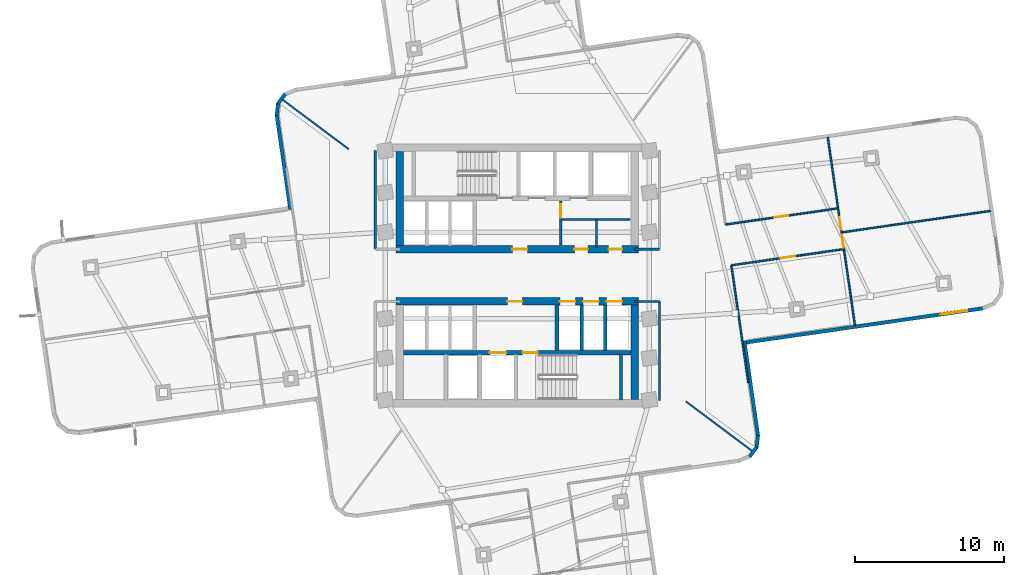
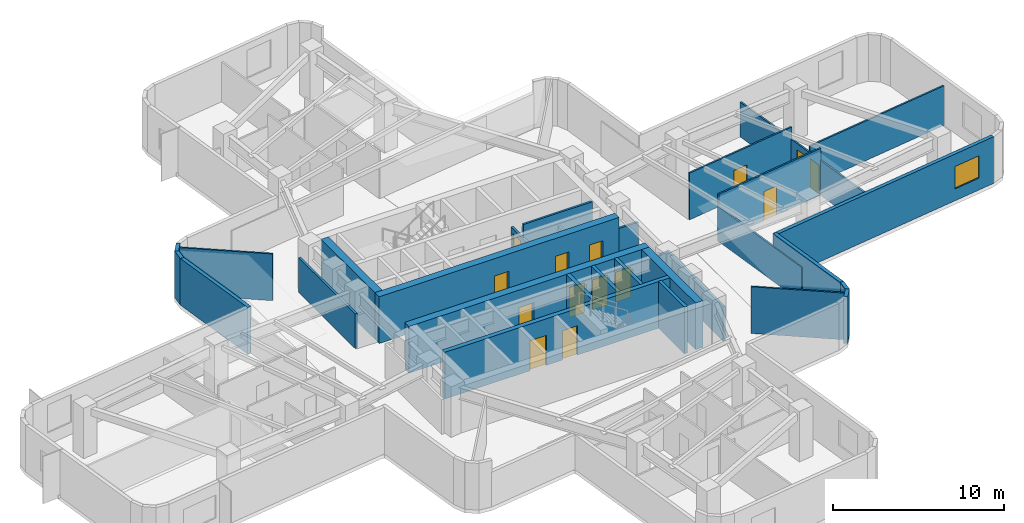
# One storey, part 4 of 10: 30 walls, 14 doors, 1 window, 15 openings.
"""IFC4 building model written with IfcOpenShell, lengths in metres."""

from ifc_helpers import new_model, si_unit, direction, frame, frame_2d, origin, place, context, subcontext, project, spatial, rectangle, extrude, material, layer, layer_set, type_object, element, fill, save


model = new_model("IFC4")

# Units and contexts
model_context = context("Model", 3, precision=1e-05, world=origin(), true_north=direction((0.0, 1.0)))
body_context = subcontext(model_context, "Body", "Model", "MODEL_VIEW")
ifc_project = project(units=[si_unit("LENGTHUNIT", "METRE"), si_unit("AREAUNIT", "SQUARE_METRE"), si_unit("VOLUMEUNIT", "CUBIC_METRE"), si_unit("PLANEANGLEUNIT", "RADIAN"), si_unit("MASSUNIT", "GRAM", prefix="KILO")], contexts=[model_context])

# Site, building, storey
site_placement = place(None, origin())
site = spatial("IfcSite", under=ifc_project, at=site_placement, CompositionType="ELEMENT")
building_placement = place(site_placement, origin())
building = spatial("IfcBuilding", under=site, at=building_placement, Name="Solmarez Civic Tower", CompositionType="ELEMENT")
storey_placement = place(building_placement, frame((0.0, 0.0, 85.679931640625)))
storey = spatial("IfcBuildingStorey", under=building, at=storey_placement, Name="L22", CompositionType="ELEMENT", Elevation=85.679931640625)

# Wall, openings, doors
ifc_material_1 = material(Name="Concrete C60/75", Category="concrete")
ifc_layer_1 = layer(ifc_material_1, 0.5)
ifc_layer_set_1 = layer_set([ifc_layer_1], Name="Concrete C60/75")
wall_type_1 = type_object("IfcWallType", Name="WALL-CORE-500", PredefinedType="SHEAR", material=ifc_layer_set_1)
wall_1_placement = place(storey_placement, frame((8.1201171875, 1.75, 0.0), z_axis=(0.0, 0.0, 1.0), x_axis=(-1.0, 0.0, 0.0)))
wall_1 = element("IfcWall", 1, at=wall_1_placement, inside=storey, type_object=wall_type_1, Name="L22 Split-Core Structural Wall NCW-S-L22", PredefinedType="SHEAR", context=body_context, shape_type="SweptSolid", body=[
    extrude(rectangle(XDim=16.240234375, YDim=0.5, at=frame_2d((8.1201171875, 0.0))), origin(), (0.0, 0.0, 1.0), 3.340087890625),
])
opening_1_placement = place(wall_1_placement, frame((7.449951171875, 0.0, 0.0)))
opening_1 = element("IfcOpeningElement", 2, at=opening_1_placement, cuts=wall_1, Name="Opening D-04", PredefinedType="OPENING", context=body_context, shape_type="SweptSolid", body=[
    extrude(rectangle(XDim=1.0, YDim=2.10009765625, at=frame_2d((0.5, 1.050048828125))), frame((0.0, 0.260009765625, 0.0), z_axis=(0.0, -1.0, 0.0), x_axis=(1.0, 0.0, 0.0)), (0.0, 0.0, 1.0), 0.52001953125),
])
opening_2_placement = place(wall_1_placement, frame((3.39990234375, 0.0, 0.0)))
opening_2 = element("IfcOpeningElement", 3, at=opening_2_placement, cuts=wall_1, Name="Opening D-09", PredefinedType="OPENING", context=body_context, shape_type="SweptSolid", body=[
    extrude(rectangle(XDim=0.89990234375, YDim=2.06005859375, at=frame_2d((0.449951171875, 1.030029296875))), frame((0.0, 0.260009765625, 0.0), z_axis=(0.0, -1.0, 0.0), x_axis=(1.0, 0.0, 0.0)), (0.0, 0.0, 1.0), 0.52001953125),
])
opening_3_placement = place(wall_1_placement, frame((1.10009765625, 0.0, 0.0)))
opening_3 = element("IfcOpeningElement", 4, at=opening_3_placement, cuts=wall_1, Name="Opening D-09", PredefinedType="OPENING", context=body_context, shape_type="SweptSolid", body=[
    extrude(rectangle(XDim=0.89990234375, YDim=2.06005859375, at=frame_2d((0.449951171875, 1.030029296875))), frame((0.0, 0.260009765625, 0.0), z_axis=(0.0, -1.0, 0.0), x_axis=(1.0, 0.0, 0.0)), (0.0, 0.0, 1.0), 0.52001953125),
])
ifc_material_2 = material(Name="Steel-Faced Acoustic Fire Door", Category="steel")
door_type_1 = type_object("IfcDoorType", Name="DOOR-FD60-1000", OperationType="NOTDEFINED", PredefinedType="DOOR", material=ifc_material_2)
door_1_placement = place(opening_1_placement, origin())
door_1 = element("IfcDoor", 5, at=door_1_placement, inside=storey, type_object=door_type_1, Name="L22 North Firefighting Lobby Door", OperationType="SINGLE_SWING_LEFT", OverallHeight=2.10009765625, OverallWidth=1.0, PredefinedType="DOOR", context=body_context, shape_type="SweptSolid", body=[
    extrude(rectangle(XDim=1.0, YDim=2.10009765625, at=frame_2d((0.5, 1.050048828125))), frame((0.0, 0.02490234375, 0.0), z_axis=(0.0, -1.0, 0.0), x_axis=(1.0, 0.0, 0.0)), (0.0, 0.0, 1.0), 0.050048828125),
])
fill(opening_1, door_1)
ifc_material_3 = material(Name="Fire-Rated Service Core Door", Category="wood")
door_type_2 = type_object("IfcDoorType", Name="DOOR-FD60-900", OperationType="NOTDEFINED", PredefinedType="DOOR", material=ifc_material_3)
door_2_placement = place(opening_2_placement, origin())
door_2 = element("IfcDoor", 6, at=door_2_placement, inside=storey, type_object=door_type_2, Name="L22 Core WC Door", OperationType="SINGLE_SWING_LEFT", OverallHeight=2.06005859375, OverallWidth=0.89990234375, PredefinedType="DOOR", context=body_context, shape_type="SweptSolid", body=[
    extrude(rectangle(XDim=0.89990234375, YDim=2.06005859375, at=frame_2d((0.449951171875, 1.030029296875))), frame((0.0, 0.02490234375, 0.0), z_axis=(0.0, -1.0, 0.0), x_axis=(1.0, 0.0, 0.0)), (0.0, 0.0, 1.0), 0.050048828125),
])
fill(opening_2, door_2)
door_3_placement = place(opening_3_placement, origin())
door_3 = element("IfcDoor", 7, at=door_3_placement, inside=storey, type_object=door_type_2, Name="L22 Core CL Door", OperationType="SINGLE_SWING_RIGHT", OverallHeight=2.06005859375, OverallWidth=0.89990234375, PredefinedType="DOOR", context=body_context, shape_type="SweptSolid", body=[
    extrude(rectangle(XDim=0.89990234375, YDim=2.06005859375, at=frame_2d((0.449951171875, 1.030029296875))), frame((0.0, 0.02490234375, 0.0), z_axis=(0.0, -1.0, 0.0), x_axis=(1.0, 0.0, 0.0)), (0.0, 0.0, 1.0), 0.050048828125),
])
fill(opening_3, door_3)

# Wall
wall_2_placement = place(storey_placement, frame((-7.8701171875, 2.0, 0.0), z_axis=(0.0, 0.0, 1.0), x_axis=(0.0, 1.0, 0.0)))
element("IfcWall", 8, at=wall_2_placement, inside=storey, type_object=wall_type_1, Name="L22 Split-Core Structural Wall NCW-W-L22", PredefinedType="SHEAR", context=body_context, shape_type="SweptSolid", body=[
    extrude(rectangle(XDim=6.31005859375, YDim=0.5, at=frame_2d((3.155029296875, 0.0))), origin(), (0.0, 0.0, 1.0), 3.340087890625),
])

# Wall, openings, doors
wall_3_placement = place(storey_placement, frame((-8.1201171875, -1.75, 0.0), z_axis=(0.0, 0.0, 1.0), x_axis=(1.0, 0.0, 0.0)))
wall_3 = element("IfcWall", 9, at=wall_3_placement, inside=storey, type_object=wall_type_1, Name="L22 Split-Core Structural Wall SCW-N-L22", PredefinedType="SHEAR", context=body_context, shape_type="SweptSolid", body=[
    extrude(rectangle(XDim=16.240234375, YDim=0.5, at=frame_2d((8.1201171875, 0.0))), origin(), (0.0, 0.0, 1.0), 3.340087890625),
])
opening_4_placement = place(wall_3_placement, frame((7.449951171875, 0.0, 0.0)))
opening_4 = element("IfcOpeningElement", 10, at=opening_4_placement, cuts=wall_3, Name="Opening D-04", PredefinedType="OPENING", context=body_context, shape_type="SweptSolid", body=[
    extrude(rectangle(XDim=1.0, YDim=2.10009765625, at=frame_2d((0.5, 1.050048828125))), frame((0.0, 0.260009765625, 0.0), z_axis=(0.0, -1.0, 0.0), x_axis=(1.0, 0.0, 0.0)), (0.0, 0.0, 1.0), 0.52001953125),
])
opening_5_placement = place(wall_3_placement, frame((10.965087890625, 0.0, 0.0)))
opening_5 = element("IfcOpeningElement", 11, at=opening_5_placement, cuts=wall_3, Name="Opening LD-01", PredefinedType="OPENING", context=body_context, shape_type="SweptSolid", body=[
    extrude(rectangle(XDim=1.050048828125, YDim=2.14990234375, at=frame_2d((0.52490234375, 1.074951171875))), frame((0.0, 0.260009765625, 0.0), z_axis=(0.0, -1.0, 0.0), x_axis=(1.0, 0.0, 0.0)), (0.0, 0.0, 1.0), 0.52001953125),
])
opening_6_placement = place(wall_3_placement, frame((12.52490234375, 0.0, 0.0)))
opening_6 = element("IfcOpeningElement", 12, at=opening_6_placement, cuts=wall_3, Name="Opening LD-01", PredefinedType="OPENING", context=body_context, shape_type="SweptSolid", body=[
    extrude(rectangle(XDim=1.050048828125, YDim=2.14990234375, at=frame_2d((0.52490234375, 1.074951171875))), frame((0.0, 0.260009765625, 0.0), z_axis=(0.0, -1.0, 0.0), x_axis=(1.0, 0.0, 0.0)), (0.0, 0.0, 1.0), 0.52001953125),
])
opening_7_placement = place(wall_3_placement, frame((14.0849609375, 0.0, 0.0)))
opening_7 = element("IfcOpeningElement", 13, at=opening_7_placement, cuts=wall_3, Name="Opening LD-01", PredefinedType="OPENING", context=body_context, shape_type="SweptSolid", body=[
    extrude(rectangle(XDim=1.050048828125, YDim=2.14990234375, at=frame_2d((0.52490234375, 1.074951171875))), frame((0.0, 0.260009765625, 0.0), z_axis=(0.0, -1.0, 0.0), x_axis=(1.0, 0.0, 0.0)), (0.0, 0.0, 1.0), 0.52001953125),
])
door_4_placement = place(opening_4_placement, origin())
door_4 = element("IfcDoor", 14, at=door_4_placement, inside=storey, type_object=door_type_1, Name="L22 South Firefighting Lobby Door", OperationType="SINGLE_SWING_RIGHT", OverallHeight=2.10009765625, OverallWidth=1.0, PredefinedType="DOOR", context=body_context, shape_type="SweptSolid", body=[
    extrude(rectangle(XDim=1.0, YDim=2.10009765625, at=frame_2d((0.5, 1.050048828125))), frame((0.0, 0.02490234375, 0.0), z_axis=(0.0, -1.0, 0.0), x_axis=(1.0, 0.0, 0.0)), (0.0, 0.0, 1.0), 0.050048828125),
])
fill(opening_4, door_4)
ifc_material_4 = material(Name="Bronze Passenger Lift Landing Sliding Door", Category="aluminium")
door_type_3 = type_object("IfcDoorType", Name="DOOR-LD-PAX-1050", OperationType="DOUBLE_DOOR_SLIDING", PredefinedType="DOOR", material=ifc_material_4)
door_5_placement = place(opening_5_placement, origin())
door_5 = element("IfcDoor", 15, at=door_5_placement, inside=storey, type_object=door_type_3, Name="L22 Low-Rise Lift Landing Door PL-L1", OperationType="DOUBLE_DOOR_SLIDING", OverallHeight=2.14990234375, OverallWidth=1.050048828125, PredefinedType="DOOR", context=body_context, shape_type="SweptSolid", body=[
    extrude(rectangle(XDim=1.050048828125, YDim=2.14990234375, at=frame_2d((0.52490234375, 1.074951171875))), frame((0.0, 0.02490234375, 0.0), z_axis=(0.0, -1.0, 0.0), x_axis=(1.0, 0.0, 0.0)), (0.0, 0.0, 1.0), 0.050048828125),
])
fill(opening_5, door_5)
door_6_placement = place(opening_6_placement, origin())
door_6 = element("IfcDoor", 16, at=door_6_placement, inside=storey, type_object=door_type_3, Name="L22 Low-Rise Lift Landing Door PL-L2", OperationType="DOUBLE_DOOR_SLIDING", OverallHeight=2.14990234375, OverallWidth=1.050048828125, PredefinedType="DOOR", context=body_context, shape_type="SweptSolid", body=[
    extrude(rectangle(XDim=1.050048828125, YDim=2.14990234375, at=frame_2d((0.52490234375, 1.074951171875))), frame((0.0, 0.02490234375, 0.0), z_axis=(0.0, -1.0, 0.0), x_axis=(1.0, 0.0, 0.0)), (0.0, 0.0, 1.0), 0.050048828125),
])
fill(opening_6, door_6)
door_7_placement = place(opening_7_placement, origin())
door_7 = element("IfcDoor", 17, at=door_7_placement, inside=storey, type_object=door_type_3, Name="L22 Low-Rise Lift Landing Door PL-L3", OperationType="DOUBLE_DOOR_SLIDING", OverallHeight=2.14990234375, OverallWidth=1.050048828125, PredefinedType="DOOR", context=body_context, shape_type="SweptSolid", body=[
    extrude(rectangle(XDim=1.050048828125, YDim=2.14990234375, at=frame_2d((0.52490234375, 1.074951171875))), frame((0.0, 0.02490234375, 0.0), z_axis=(0.0, -1.0, 0.0), x_axis=(1.0, 0.0, 0.0)), (0.0, 0.0, 1.0), 0.050048828125),
])
fill(opening_7, door_7)

# Walls
wall_4_placement = place(storey_placement, frame((7.8701171875, -2.0, 0.0), z_axis=(0.0, 0.0, 1.0), x_axis=(0.0, -1.0, 0.0)))
element("IfcWall", 18, at=wall_4_placement, inside=storey, type_object=wall_type_1, Name="L22 Split-Core Structural Wall SCW-E-L22", PredefinedType="SHEAR", context=body_context, shape_type="SweptSolid", body=[
    extrude(rectangle(XDim=6.31005859375, YDim=0.5, at=frame_2d((3.155029296875, 0.0))), origin(), (0.0, 0.0, 1.0), 3.340087890625),
])
ifc_material_5 = material(Name="Precast concrete C40/50", Category="concrete")
ifc_layer_2 = layer(ifc_material_5, 0.239990234375)
ifc_layer_set_2 = layer_set([ifc_layer_2], Name="Precast concrete C40/50")
wall_type_2 = type_object("IfcWallType", Name="WALL-EXT-240", PredefinedType="SOLIDWALL", material=ifc_layer_set_2)
wall_5_placement = place(storey_placement, frame((-15.215087890625, 4.4189453125, 0.0), z_axis=(0.0, 0.0, 1.0), x_axis=(-0.14277438433, 0.989755260243, 0.0)))
element("IfcWall", 19, at=wall_5_placement, inside=storey, type_object=wall_type_2, Name="L22 Exterior Precast Wall 13", PredefinedType="SOLIDWALL", context=body_context, shape_type="SweptSolid", body=[
    extrude(rectangle(XDim=6.415771484375, YDim=0.239990234375, at=frame_2d((3.2080078125, 0.0))), origin(), (0.0, 0.0, 1.0), 3.340087890625),
])
wall_6_placement = place(storey_placement, frame((-16.1298828125, 10.718994140625, 0.0), z_axis=(0.0, 0.0, 1.0), x_axis=(0.117847211411, 0.993031739051, 0.0)))
element("IfcWall", 20, at=wall_6_placement, inside=storey, type_object=wall_type_2, Name="L22 Exterior Precast Wall 14", PredefinedType="SOLIDWALL", context=body_context, shape_type="SweptSolid", body=[
    extrude(rectangle(XDim=0.830810546875, YDim=0.239990234375, at=frame_2d((0.41552734375, 0.0))), origin(), (0.0, 0.0, 1.0), 3.340087890625),
])
wall_7_placement = place(storey_placement, frame((-16.050048828125, 11.4990234375, 0.0), z_axis=(0.0, 0.0, 1.0), x_axis=(0.599903963027, 0.800072018724, 0.0)))
element("IfcWall", 21, at=wall_7_placement, inside=storey, type_object=wall_type_2, Name="L22 Exterior Precast Wall 15", PredefinedType="SOLIDWALL", context=body_context, shape_type="SweptSolid", body=[
    extrude(rectangle(XDim=0.8134765625, YDim=0.239990234375, at=frame_2d((0.40673828125, 0.0))), origin(), (0.0, 0.0, 1.0), 3.340087890625),
])

# Wall, opening, window
wall_8_placement = place(storey_placement, frame((31.243896484375, -2.2060546875, 0.0), z_axis=(0.0, 0.0, 1.0), x_axis=(-0.989771419035, -0.142662321802, 0.0)))
wall_8 = element("IfcWall", 22, at=wall_8_placement, inside=storey, type_object=wall_type_2, Name="L22 Exterior Precast Wall 46", PredefinedType="SOLIDWALL", context=body_context, shape_type="SweptSolid", body=[
    extrude(rectangle(XDim=16.2763671875, YDim=0.239990234375, at=frame_2d((8.13818359375, 0.0))), origin(), (0.0, 0.0, 1.0), 3.340087890625),
])
opening_8_placement = place(wall_8_placement, frame((1.10009765625, 0.0, 0.85009765625)))
opening_8 = element("IfcOpeningElement", 23, at=opening_8_placement, cuts=wall_8, Name="Opening W-12", PredefinedType="OPENING", context=body_context, shape_type="SweptSolid", body=[
    extrude(rectangle(XDim=1.800048828125, YDim=1.60009765625, at=frame_2d((0.89990234375, 0.800048828125))), frame((0.0, 0.1298828125, 0.0), z_axis=(0.0, -1.0, 0.0), x_axis=(1.0, 0.0, 0.0)), (0.0, 0.0, 1.0), 0.260009765625),
])
ifc_material_6 = material(Name="Solar Control Bronze-Tinted Insulating Glass", Category="glass")
window_type = type_object("IfcWindowType", Name="WIN-1800X1600", PartitioningType="SINGLE_PANEL", PredefinedType="WINDOW", material=ifc_material_6)
window_placement = place(opening_8_placement, origin())
window = element("IfcWindow", 24, at=window_placement, inside=storey, type_object=window_type, Name="L22 Exterior Facade Window 46", OverallHeight=1.60009765625, OverallWidth=1.800048828125, PartitioningType="SINGLE_PANEL", PredefinedType="WINDOW", context=body_context, shape_type="SweptSolid", body=[
    extrude(rectangle(XDim=1.800048828125, YDim=1.60009765625, at=frame_2d((0.89990234375, 0.800048828125))), frame((0.0, 0.030029296875, 0.0), z_axis=(0.0, -1.0, 0.0), x_axis=(1.0, 0.0, 0.0)), (0.0, 0.0, 1.0), 0.06005859375),
])
fill(opening_8, window)

# Walls
wall_9_placement = place(storey_placement, frame((15.215087890625, -4.4189453125, 0.0), z_axis=(0.0, 0.0, 1.0), x_axis=(0.14277438433, -0.989755260243, 0.0)))
element("IfcWall", 25, at=wall_9_placement, inside=storey, type_object=wall_type_2, Name="L22 Exterior Precast Wall 49", PredefinedType="SOLIDWALL", context=body_context, shape_type="SweptSolid", body=[
    extrude(rectangle(XDim=6.415771484375, YDim=0.239990234375, at=frame_2d((3.2080078125, 0.0))), origin(), (0.0, 0.0, 1.0), 3.340087890625),
])
wall_10_placement = place(storey_placement, frame((16.1298828125, -10.718994140625, 0.0), z_axis=(0.0, 0.0, 1.0), x_axis=(-0.117847211411, -0.993031739051, 0.0)))
element("IfcWall", 26, at=wall_10_placement, inside=storey, type_object=wall_type_2, Name="L22 Exterior Precast Wall 50", PredefinedType="SOLIDWALL", context=body_context, shape_type="SweptSolid", body=[
    extrude(rectangle(XDim=0.830810546875, YDim=0.239990234375, at=frame_2d((0.41552734375, 0.0))), origin(), (0.0, 0.0, 1.0), 3.340087890625),
])
wall_11_placement = place(storey_placement, frame((16.050048828125, -11.4990234375, 0.0), z_axis=(0.0, 0.0, 1.0), x_axis=(-0.599903963027, -0.800072018724, 0.0)))
element("IfcWall", 27, at=wall_11_placement, inside=storey, type_object=wall_type_2, Name="L22 Exterior Precast Wall 51", PredefinedType="SOLIDWALL", context=body_context, shape_type="SweptSolid", body=[
    extrude(rectangle(XDim=0.8134765625, YDim=0.239990234375, at=frame_2d((0.40673828125, 0.0))), origin(), (0.0, 0.0, 1.0), 3.340087890625),
])
ifc_material_7 = material(Name="Gypsum Board Acoustic Steel-Stud Partition", Category="steel")
ifc_layer_3 = layer(ifc_material_7, 0.14990234375)
ifc_layer_set_3 = layer_set([ifc_layer_3], Name="Gypsum Board Acoustic Steel-Stud Partition")
wall_type_3 = type_object("IfcWallType", Name="WALL-INT-FIRE-150", PredefinedType="PARTITIONING", material=ifc_layer_set_3)
wall_12_placement = place(storey_placement, frame((-9.52001953125, 1.75, 0.0), z_axis=(0.0, 0.0, 1.0), x_axis=(0.0, 1.0, 0.0)))
element("IfcWall", 28, at=wall_12_placement, inside=storey, type_object=wall_type_3, Name="L22 Interior Partition CHW-L22-WN1", PredefinedType="PARTITIONING", context=body_context, shape_type="SweptSolid", body=[
    extrude(rectangle(XDim=6.6298828125, YDim=0.14990234375, at=frame_2d((3.31494140625, 0.0))), origin(), (0.0, 0.0, 1.0), 2.486083984375),
])
wall_13_placement = place(storey_placement, frame((7.85009765625, 1.75, 0.0), z_axis=(0.0, 0.0, 1.0), x_axis=(1.0, 0.0, 0.0)))
element("IfcWall", 29, at=wall_13_placement, inside=storey, type_object=wall_type_3, Name="L22 Interior Partition CHW-L22-EN3", PredefinedType="PARTITIONING", context=body_context, shape_type="SweptSolid", body=[
    extrude(rectangle(XDim=1.669921875, YDim=0.14990234375, at=frame_2d((0.8349609375, 0.0))), origin(), (0.0, 0.0, 1.0), 2.405029296875),
])
wall_14_placement = place(storey_placement, frame((9.52001953125, -8.3798828125, 0.0), z_axis=(0.0, 0.0, 1.0), x_axis=(0.0, 1.0, 0.0)))
element("IfcWall", 30, at=wall_14_placement, inside=storey, type_object=wall_type_3, Name="L22 Interior Partition CHW-L22-ES1", PredefinedType="PARTITIONING", context=body_context, shape_type="SweptSolid", body=[
    extrude(rectangle(XDim=6.6298828125, YDim=0.14990234375, at=frame_2d((3.31494140625, 0.0))), origin(), (0.0, 0.0, 1.0), 2.486083984375),
])
wall_15_placement = place(storey_placement, frame((7.85009765625, -1.75, 0.0), z_axis=(0.0, 0.0, 1.0), x_axis=(1.0, 0.0, 0.0)))
element("IfcWall", 31, at=wall_15_placement, inside=storey, type_object=wall_type_3, Name="L22 Interior Partition CHW-L22-ES3", PredefinedType="PARTITIONING", context=body_context, shape_type="SweptSolid", body=[
    extrude(rectangle(XDim=1.669921875, YDim=0.14990234375, at=frame_2d((0.8349609375, 0.0))), origin(), (0.0, 0.0, 1.0), 2.405029296875),
])
ifc_layer_4 = layer(ifc_material_7, 0.110107421875)
ifc_layer_set_4 = layer_set([ifc_layer_4], Name="Gypsum Board Acoustic Steel-Stud Partition")
wall_type_4 = type_object("IfcWallType", Name="WALL-INT-PART-110", PredefinedType="PARTITIONING", material=ifc_layer_set_4)
for number, where, z_axis, x_axis, name in (
    (32, (-11.300048828125, 8.4541015625, 0.0), (0.0, 0.0, 1.0), (-0.80074999449, 0.598998703107, 0.0), "L22 Interior Partition PT-L22-QDIV-2"),
    (33, (11.300048828125, -8.4541015625, 0.0), (0.0, 0.0, 1.0), (0.80074999449, -0.598998703107, 0.0), "L22 Interior Partition PT-L22-QDIV-4"),
):
    element("IfcWall", number, at=place(storey_placement, frame(where, z_axis=z_axis, x_axis=x_axis)), inside=storey, type_object=wall_type_4, Name=name, PredefinedType="PARTITIONING", context=body_context, shape_type="SweptSolid", body=[
        extrude(rectangle(XDim=5.542236328125, YDim=0.110107421875, at=frame_2d((2.77099609375, 0.0))), origin(), (0.0, 0.0, 1.0), 3.340087890625),
    ])
wall_16_placement = place(storey_placement, frame((15.47412109375, -7.18603515625, 0.0), z_axis=(0.0, 0.0, 1.0), x_axis=(-0.142779920322, 0.989754461648, 0.0)))
element("IfcWall", 34, at=wall_16_placement, inside=storey, type_object=wall_type_4, Name="L22 Interior Partition PT-L22-E-EFR", PredefinedType="PARTITIONING", context=body_context, shape_type="SweptSolid", body=[
    extrude(rectangle(XDim=7.949462890625, YDim=0.110107421875, at=frame_2d((3.974609375, 0.0))), origin(), (0.0, 0.0, 1.0), 2.486083984375),
])

# Wall, opening, door
wall_17_placement = place(storey_placement, frame((21.489013671875, 4.490966796875, 0.0), z_axis=(0.0, 0.0, 1.0), x_axis=(-0.989774445133, -0.142641325577, 0.0)))
wall_17 = element("IfcWall", 35, at=wall_17_placement, inside=storey, type_object=wall_type_4, Name="L22 Interior Partition PT-L22-E-SL", PredefinedType="PARTITIONING", context=body_context, shape_type="SweptSolid", body=[
    extrude(rectangle(XDim=7.619873046875, YDim=0.110107421875, at=frame_2d((3.81005859375, 0.0))), origin(), (0.0, 0.0, 1.0), 3.340087890625),
])
opening_9_placement = place(wall_17_placement, frame((3.360107421875, 0.0, 0.0)))
opening_9 = element("IfcOpeningElement", 36, at=opening_9_placement, cuts=wall_17, Name="Opening D-10", PredefinedType="OPENING", context=body_context, shape_type="SweptSolid", body=[
    extrude(rectangle(XDim=0.949951171875, YDim=2.080078125, at=frame_2d((0.47509765625, 1.0400390625))), frame((0.0, 0.06494140625, 0.0), z_axis=(0.0, -1.0, 0.0), x_axis=(1.0, 0.0, 0.0)), (0.0, 0.0, 1.0), 0.130126953125),
])
ifc_material_8 = material(Name="Solid-Core Timber Ministry Office Door", Category="wood")
door_type_4 = type_object("IfcDoorType", Name="DOOR-INT-950", OperationType="NOTDEFINED", PredefinedType="DOOR", material=ifc_material_8)
door_8_placement = place(opening_9_placement, origin())
door_8 = element("IfcDoor", 37, at=door_8_placement, inside=storey, type_object=door_type_4, Name="L22 Executive Boardroom East Door", OperationType="SINGLE_SWING_LEFT", OverallHeight=2.080078125, OverallWidth=0.949951171875, PredefinedType="DOOR", context=body_context, shape_type="SweptSolid", body=[
    extrude(rectangle(XDim=0.949951171875, YDim=2.080078125, at=frame_2d((0.47509765625, 1.0400390625))), frame((0.0, 0.02490234375, 0.0), z_axis=(0.0, -1.0, 0.0), x_axis=(1.0, 0.0, 0.0)), (0.0, 0.0, 1.0), 0.050048828125),
])
fill(opening_9, door_8)

wall_18_placement = place(storey_placement, frame((14.341064453125, 0.672119140625, 0.0), z_axis=(0.0, 0.0, 1.0), x_axis=(0.989774445133, 0.142641325577, 0.0)))
wall_18 = element("IfcWall", 38, at=wall_18_placement, inside=storey, type_object=wall_type_4, Name="L22 Interior Partition PT-L22-E-SR", PredefinedType="PARTITIONING", context=body_context, shape_type="SweptSolid", body=[
    extrude(rectangle(XDim=7.619873046875, YDim=0.110107421875, at=frame_2d((3.81005859375, 0.0))), origin(), (0.0, 0.0, 1.0), 3.340087890625),
])
opening_10_placement = place(wall_18_placement, frame((3.360107421875, 0.0, 0.0)))
opening_10 = element("IfcOpeningElement", 39, at=opening_10_placement, cuts=wall_18, Name="Opening D-10", PredefinedType="OPENING", context=body_context, shape_type="SweptSolid", body=[
    extrude(rectangle(XDim=0.949951171875, YDim=2.080078125, at=frame_2d((0.47509765625, 1.0400390625))), frame((0.0, 0.06494140625, 0.0), z_axis=(0.0, -1.0, 0.0), x_axis=(1.0, 0.0, 0.0)), (0.0, 0.0, 1.0), 0.130126953125),
])
door_9_placement = place(opening_10_placement, origin())
door_9 = element("IfcDoor", 40, at=door_9_placement, inside=storey, type_object=door_type_4, Name="L22 Diplomatic Sitting Lounge East Door", OperationType="SINGLE_SWING_RIGHT", OverallHeight=2.080078125, OverallWidth=0.949951171875, PredefinedType="DOOR", context=body_context, shape_type="SweptSolid", body=[
    extrude(rectangle(XDim=0.949951171875, YDim=2.080078125, at=frame_2d((0.47509765625, 1.0400390625))), frame((0.0, 0.02490234375, 0.0), z_axis=(0.0, -1.0, 0.0), x_axis=(1.0, 0.0, 0.0)), (0.0, 0.0, 1.0), 0.050048828125),
])
fill(opening_10, door_9)

# Wall
wall_19_placement = place(storey_placement, frame((21.781005859375, 2.885986328125, 0.0), z_axis=(0.0, 0.0, 1.0), x_axis=(0.989773870341, 0.142645313942, 0.0)))
element("IfcWall", 41, at=wall_19_placement, inside=storey, type_object=wall_type_4, Name="L22 Interior Partition PT-L22-E-TM", PredefinedType="PARTITIONING", context=body_context, shape_type="SweptSolid", body=[
    extrude(rectangle(XDim=10.0244140625, YDim=0.110107421875, at=frame_2d((5.01220703125, 0.0))), origin(), (0.0, 0.0, 1.0), 2.83203125),
])

# Wall, openings, doors
wall_20_placement = place(storey_placement, frame((20.802001953125, 9.257080078125, 0.0), z_axis=(0.0, 0.0, 1.0), x_axis=(0.142667743944, -0.98977063749, 0.0)))
wall_20 = element("IfcWall", 42, at=wall_20_placement, inside=storey, type_object=wall_type_4, Name="L22 Interior Partition PT-L22-E-END", PredefinedType="PARTITIONING", context=body_context, shape_type="SweptSolid", body=[
    extrude(rectangle(XDim=12.75048828125, YDim=0.110107421875, at=frame_2d((6.375244140625, 0.0))), origin(), (0.0, 0.0, 1.0), 2.486083984375),
])
opening_11_placement = place(wall_20_placement, frame((6.614990234375, 0.0, 0.0)))
opening_11 = element("IfcOpeningElement", 43, at=opening_11_placement, cuts=wall_20, Name="Opening D-14", PredefinedType="OPENING", context=body_context, shape_type="SweptSolid", body=[
    extrude(rectangle(XDim=0.860107421875, YDim=2.0400390625, at=frame_2d((0.43017578125, 1.02001953125))), frame((0.0, 0.06494140625, 0.0), z_axis=(0.0, -1.0, 0.0), x_axis=(1.0, 0.0, 0.0)), (0.0, 0.0, 1.0), 0.130126953125),
])
opening_12_placement = place(wall_20_placement, frame((5.4150390625, 0.0, 0.0)))
opening_12 = element("IfcOpeningElement", 44, at=opening_12_placement, cuts=wall_20, Name="Opening D-14", PredefinedType="OPENING", context=body_context, shape_type="SweptSolid", body=[
    extrude(rectangle(XDim=0.860107421875, YDim=2.0400390625, at=frame_2d((0.43017578125, 1.02001953125))), frame((0.0, 0.06494140625, 0.0), z_axis=(0.0, -1.0, 0.0), x_axis=(1.0, 0.0, 0.0)), (0.0, 0.0, 1.0), 0.130126953125),
])
ifc_material_9 = material(Name="Timber Storage and Pantry Door", Category="wood")
door_type_5 = type_object("IfcDoorType", Name="DOOR-INT-850", OperationType="NOTDEFINED", PredefinedType="DOOR", material=ifc_material_9)
door_10_placement = place(opening_11_placement, origin())
door_10 = element("IfcDoor", 45, at=door_10_placement, inside=storey, type_object=door_type_5, Name="L22 Security Control Room Sixth East Door", OperationType="SINGLE_SWING_RIGHT", OverallHeight=2.0400390625, OverallWidth=0.860107421875, PredefinedType="DOOR", context=body_context, shape_type="SweptSolid", body=[
    extrude(rectangle(XDim=0.860107421875, YDim=2.0400390625, at=frame_2d((0.43017578125, 1.02001953125))), frame((0.0, 0.02490234375, 0.0), z_axis=(0.0, -1.0, 0.0), x_axis=(1.0, 0.0, 0.0)), (0.0, 0.0, 1.0), 0.050048828125),
])
fill(opening_11, door_10)
door_11_placement = place(opening_12_placement, origin())
door_11 = element("IfcDoor", 46, at=door_11_placement, inside=storey, type_object=door_type_5, Name="L22 Protocol Reception Room Fifth East Door", OperationType="SINGLE_SWING_LEFT", OverallHeight=2.0400390625, OverallWidth=0.860107421875, PredefinedType="DOOR", context=body_context, shape_type="SweptSolid", body=[
    extrude(rectangle(XDim=0.860107421875, YDim=2.0400390625, at=frame_2d((0.43017578125, 1.02001953125))), frame((0.0, 0.02490234375, 0.0), z_axis=(0.0, -1.0, 0.0), x_axis=(1.0, 0.0, 0.0)), (0.0, 0.0, 1.0), 0.050048828125),
])
fill(opening_12, door_11)

# Wall, opening, door
ifc_layer_5 = layer(ifc_material_7, 0.159912109375)
ifc_layer_set_5 = layer_set([ifc_layer_5], Name="Gypsum Board Acoustic Steel-Stud Partition")
wall_type_5 = type_object("IfcWallType", Name="WALL-INT-SHAFT-160", PredefinedType="PARTITIONING", material=ifc_layer_set_5)
wall_21_placement = place(storey_placement, frame((2.89990234375, 2.0400390625, 0.0), z_axis=(0.0, 0.0, 1.0), x_axis=(0.0, 1.0, 0.0)))
wall_21 = element("IfcWall", 47, at=wall_21_placement, inside=storey, type_object=wall_type_5, Name="L22 Interior Partition SHW-NL2-L22", PredefinedType="PARTITIONING", context=body_context, shape_type="SweptSolid", body=[
    extrude(rectangle(XDim=2.93994140625, YDim=0.159912109375, at=frame_2d((1.469970703125, 0.0))), origin(), (0.0, 0.0, 1.0), 2.405029296875),
])
opening_13_placement = place(wall_21_placement, frame((1.820068359375, 0.0, 0.0)))
opening_13 = element("IfcOpeningElement", 48, at=opening_13_placement, cuts=wall_21, Name="Opening D-09", PredefinedType="OPENING", context=body_context, shape_type="SweptSolid", body=[
    extrude(rectangle(XDim=0.89990234375, YDim=2.06005859375, at=frame_2d((0.449951171875, 1.030029296875))), frame((0.0, 0.08984375, 0.0), z_axis=(0.0, -1.0, 0.0), x_axis=(1.0, 0.0, 0.0)), (0.0, 0.0, 1.0), 0.179931640625),
])
door_12_placement = place(opening_13_placement, origin())
door_12 = element("IfcDoor", 49, at=door_12_placement, inside=storey, type_object=door_type_2, Name="L22 Service Lift Lobby Door", OperationType="SINGLE_SWING_LEFT", OverallHeight=2.06005859375, OverallWidth=0.89990234375, PredefinedType="DOOR", context=body_context, shape_type="SweptSolid", body=[
    extrude(rectangle(XDim=0.89990234375, YDim=2.06005859375, at=frame_2d((0.449951171875, 1.030029296875))), frame((0.0, 0.02490234375, 0.0), z_axis=(0.0, -1.0, 0.0), x_axis=(1.0, 0.0, 0.0)), (0.0, 0.0, 1.0), 0.050048828125),
])
fill(opening_13, door_12)

# Walls
ifc_layer_6 = layer(ifc_material_7, 0.137939453125)
ifc_layer_set_6 = layer_set([ifc_layer_6], Name="Gypsum Board Acoustic Steel-Stud Partition")
wall_type_6 = type_object("IfcWallType", Name="WALL-INT-WET-140", PredefinedType="PARTITIONING", material=ifc_layer_set_6)
wall_22_placement = place(storey_placement, frame((2.89990234375, 3.739990234375, 0.0), z_axis=(0.0, 0.0, 1.0), x_axis=(1.0, 0.0, 0.0)))
element("IfcWall", 50, at=wall_22_placement, inside=storey, type_object=wall_type_6, Name="L22 Interior Partition SHW-SVH-L22", PredefinedType="PARTITIONING", context=body_context, shape_type="SweptSolid", body=[
    extrude(rectangle(XDim=4.650146484375, YDim=0.137939453125, at=frame_2d((2.3251953125, 0.0))), origin(), (0.0, 0.0, 1.0), 3.340087890625),
])
wall_23_placement = place(storey_placement, frame((5.300048828125, 1.85009765625, 0.0), z_axis=(0.0, 0.0, 1.0), x_axis=(0.0, 1.0, 0.0)))
element("IfcWall", 51, at=wall_23_placement, inside=storey, type_object=wall_type_6, Name="L22 Interior Partition PT-NCSV-L22", PredefinedType="PARTITIONING", context=body_context, shape_type="SweptSolid", body=[
    extrude(rectangle(XDim=1.889892578125, YDim=0.137939453125, at=frame_2d((0.94482421875, 0.0))), origin(), (0.0, 0.0, 1.0), 2.405029296875),
])

# Wall, openings, doors
ifc_material_10 = material(Name="Concrete C50/60", Category="concrete")
ifc_layer_7 = layer(ifc_material_10, 0.300048828125)
ifc_layer_set_7 = layer_set([ifc_layer_7], Name="Concrete C50/60")
wall_type_7 = type_object("IfcWallType", Name="WALL-STR-300", PredefinedType="SOLIDWALL", material=ifc_layer_set_7)
wall_24_placement = place(storey_placement, frame((-7.6201171875, -5.179931640625, 0.0), z_axis=(0.0, 0.0, 1.0), x_axis=(1.0, 0.0, 0.0)))
wall_24 = element("IfcWall", 52, at=wall_24_placement, inside=storey, type_object=wall_type_7, Name="L22 Split-Core Structural Wall SCW-M-L22", PredefinedType="SOLIDWALL", context=body_context, shape_type="SweptSolid", body=[
    extrude(rectangle(XDim=15.240234375, YDim=0.300048828125, at=frame_2d((7.6201171875, 0.0))), origin(), (0.0, 0.0, 1.0), 3.340087890625),
])
opening_14_placement = place(wall_24_placement, frame((5.77001953125, 0.0, 0.0)))
opening_14 = element("IfcOpeningElement", 53, at=opening_14_placement, cuts=wall_24, Name="Opening LD-02", PredefinedType="OPENING", context=body_context, shape_type="SweptSolid", body=[
    extrude(rectangle(XDim=1.10009765625, YDim=2.14990234375, at=frame_2d((0.550048828125, 1.074951171875))), frame((0.0, 0.159912109375, 0.0), z_axis=(0.0, -1.0, 0.0), x_axis=(1.0, 0.0, 0.0)), (0.0, 0.0, 1.0), 0.320068359375),
])
opening_15_placement = place(wall_24_placement, frame((7.969970703125, 0.0, 0.0)))
opening_15 = element("IfcOpeningElement", 54, at=opening_15_placement, cuts=wall_24, Name="Opening D-05", PredefinedType="OPENING", context=body_context, shape_type="SweptSolid", body=[
    extrude(rectangle(XDim=1.0, YDim=2.10009765625, at=frame_2d((0.5, 1.050048828125))), frame((0.0, 0.159912109375, 0.0), z_axis=(0.0, -1.0, 0.0), x_axis=(1.0, 0.0, 0.0)), (0.0, 0.0, 1.0), 0.320068359375),
])
ifc_material_11 = material(Name="Fire-Rated Stairwell Exit Door", Category="wood")
door_type_6 = type_object("IfcDoorType", Name="DOOR-FD90-1000", OperationType="NOTDEFINED", PredefinedType="DOOR", material=ifc_material_11)
door_13_placement = place(opening_15_placement, origin())
door_13 = element("IfcDoor", 55, at=door_13_placement, inside=storey, type_object=door_type_6, Name="L22 South Exit Stair Door ST-2", OperationType="SINGLE_SWING_RIGHT", OverallHeight=2.10009765625, OverallWidth=1.0, PredefinedType="DOOR", context=body_context, shape_type="SweptSolid", body=[
    extrude(rectangle(XDim=1.0, YDim=2.10009765625, at=frame_2d((0.5, 1.050048828125))), frame((0.0, 0.02490234375, 0.0), z_axis=(0.0, -1.0, 0.0), x_axis=(1.0, 0.0, 0.0)), (0.0, 0.0, 1.0), 0.050048828125),
])
fill(opening_15, door_13)
ifc_material_12 = material(Name="Stainless Firefighting Lift Landing Sliding Door", Category="aluminium")
door_type_7 = type_object("IfcDoorType", Name="DOOR-LD-FF-1100", OperationType="DOUBLE_DOOR_SLIDING", PredefinedType="DOOR", material=ifc_material_12)
door_14_placement = place(opening_14_placement, origin())
door_14 = element("IfcDoor", 56, at=door_14_placement, inside=storey, type_object=door_type_7, Name="L22 Firefighting Lift Landing Door FFL-2", OperationType="DOUBLE_DOOR_SLIDING", OverallHeight=2.14990234375, OverallWidth=1.10009765625, PredefinedType="DOOR", context=body_context, shape_type="SweptSolid", body=[
    extrude(rectangle(XDim=1.10009765625, YDim=2.14990234375, at=frame_2d((0.550048828125, 1.074951171875))), frame((0.0, 0.02490234375, 0.0), z_axis=(0.0, -1.0, 0.0), x_axis=(1.0, 0.0, 0.0)), (0.0, 0.0, 1.0), 0.050048828125),
])
fill(opening_14, door_14)

# Walls
wall_25_placement = place(storey_placement, frame((6.949951171875, -8.340087890625, 0.0), z_axis=(0.0, 0.0, 1.0), x_axis=(0.0, 1.0, 0.0)))
element("IfcWall", 57, at=wall_25_placement, inside=storey, type_object=wall_type_7, Name="L22 Split-Core Structural Wall SHW-SE-L22", PredefinedType="SOLIDWALL", context=body_context, shape_type="SweptSolid", body=[
    extrude(rectangle(XDim=3.06005859375, YDim=0.219970703125, at=frame_2d((1.530029296875, 0.0))), origin(), (0.0, 0.0, 1.0), 3.340087890625),
])
wall_26_placement = place(storey_placement, frame((2.64990234375, -5.050048828125, 0.0), z_axis=(0.0, 0.0, 1.0), x_axis=(0.0, 1.0, 0.0)))
element("IfcWall", 58, at=wall_26_placement, inside=storey, type_object=wall_type_7, Name="L22 Split-Core Structural Wall SHW-SL2-L22", PredefinedType="SOLIDWALL", context=body_context, shape_type="SweptSolid", body=[
    extrude(rectangle(XDim=3.070068359375, YDim=0.25, at=frame_2d((1.53515625, 0.0))), origin(), (0.0, 0.0, 1.0), 3.340087890625),
])
for number, where, z_axis, x_axis, name in (
    (59, (4.320068359375, -5.050048828125, 0.0), (0.0, 0.0, 1.0), (0.0, 1.0, 0.0), "L22 Split-Core Structural Wall SHW-PLL-L22-1"),
    (60, (5.8798828125, -5.050048828125, 0.0), (0.0, 0.0, 1.0), (0.0, 1.0, 0.0), "L22 Split-Core Structural Wall SHW-PLL-L22-2"),
):
    element("IfcWall", number, at=place(storey_placement, frame(where, z_axis=z_axis, x_axis=x_axis)), inside=storey, type_object=wall_type_7, Name=name, PredefinedType="SOLIDWALL", context=body_context, shape_type="SweptSolid", body=[
        extrude(rectangle(XDim=3.070068359375, YDim=0.219970703125, at=frame_2d((1.53515625, 0.0))), origin(), (0.0, 0.0, 1.0), 3.340087890625),
    ])

save(model, "model.ifc")
